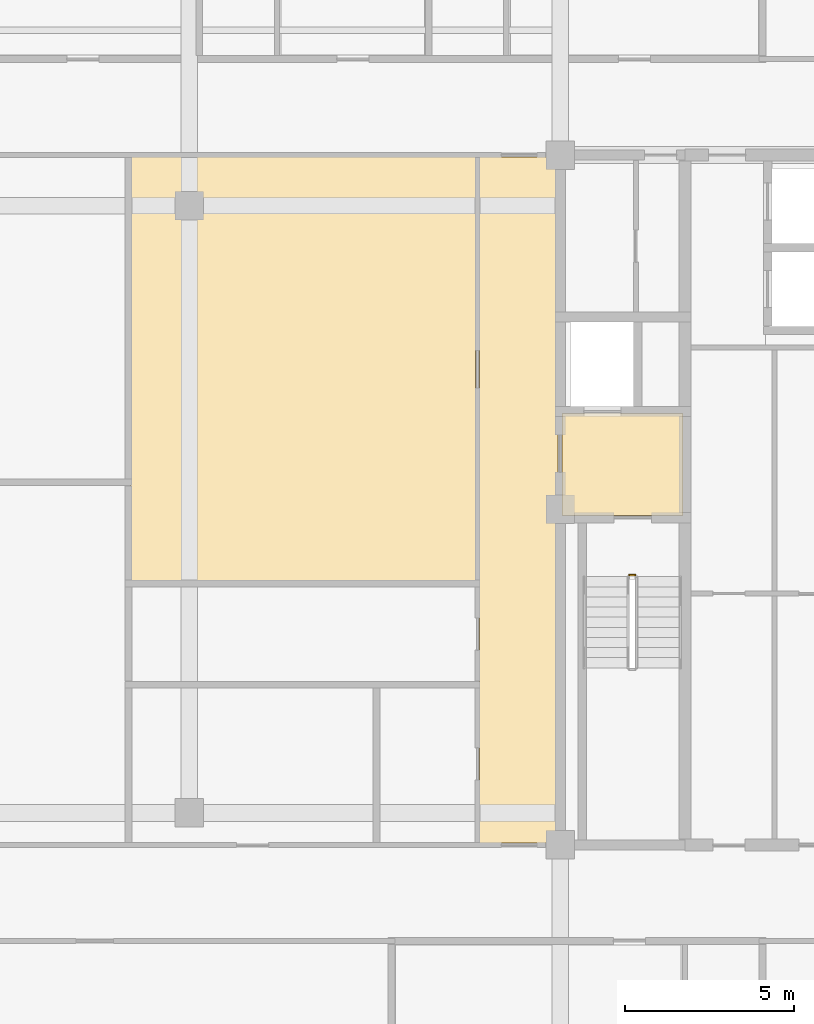
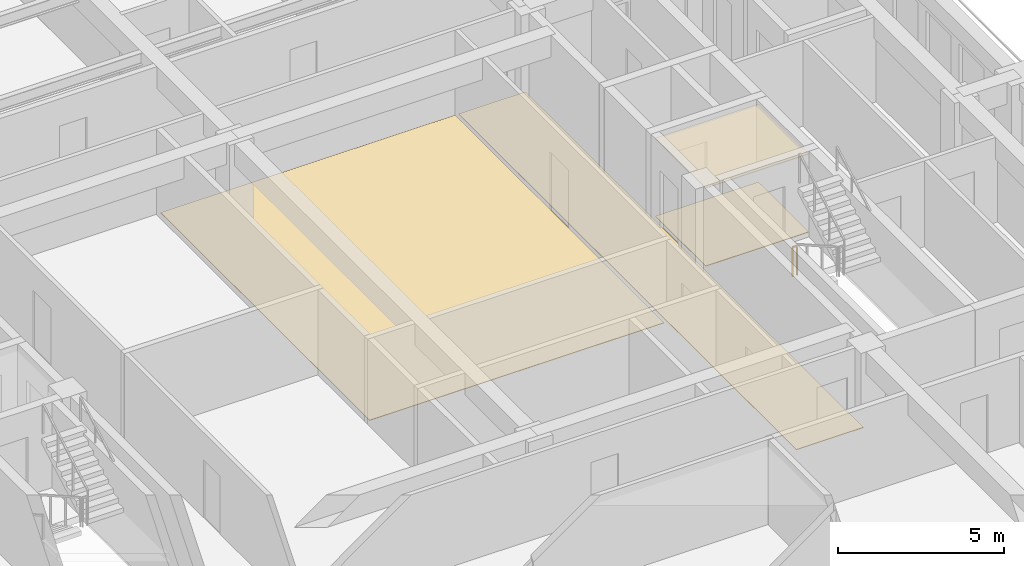
# One storey, part 13 of 14: 4 coverings, 1 railing.
"""IFC4 building model written with IfcOpenShell, lengths in metres."""

from ifc_helpers import new_model, si_unit, direction, frame, origin, origin_2d, place, context, subcontext, project, spatial, polyline, rectangle, outline, extrude, material, layer, layer_set, type_object, element, save


model = new_model("IFC4")

# Units and contexts
model_context = context("Model", 3, precision=1e-05, world=origin(), true_north=direction((0.0, 1.0)))
body_context = subcontext(model_context, "Body", "Model", "MODEL_VIEW")
ifc_project = project(units=[si_unit("LENGTHUNIT", "METRE"), si_unit("AREAUNIT", "SQUARE_METRE"), si_unit("VOLUMEUNIT", "CUBIC_METRE"), si_unit("PLANEANGLEUNIT", "RADIAN"), si_unit("MASSUNIT", "GRAM", prefix="KILO")], contexts=[model_context])

# Site, building, storey
site_placement = place(None, origin())
site = spatial("IfcSite", under=ifc_project, at=site_placement, CompositionType="ELEMENT")
building_placement = place(site_placement, origin())
building = spatial("IfcBuilding", under=site, at=building_placement, Name="Zulmaris Gate Convention Tower", CompositionType="ELEMENT")
storey_placement = place(building_placement, frame((0.0, 0.0, 215.260009765625)))
storey = spatial("IfcBuildingStorey", under=building, at=storey_placement, Name="L56", CompositionType="ELEMENT", Elevation=215.260009765625)

# Coverings
ifc_material_1 = material(Name="Mineral Fibre Acoustic Ceiling Tile")
ifc_layer_1 = layer(ifc_material_1, 0.02001953125, Name="Mineral Fibre Acoustic Ceiling Tile")
ifc_layer_set_1 = layer_set([ifc_layer_1], Name="Mineral Fibre Acoustic Ceiling Tile")
covering_type_1 = type_object("IfcCoveringType", Name="CLG-ACOUSTIC-600", PredefinedType="CEILING", material=ifc_layer_set_1)
covering_1_placement = place(storey_placement, frame((0.0, 0.0, 2.869873046875)))
element("IfcCovering", 1, at=covering_1_placement, inside=storey, type_object=covering_type_1, Name="CLG-L56-R08", PredefinedType="CEILING", context=body_context, shape_type="SweptSolid", body=[
    extrude(outline(polyline([(11.06005859375, -0.18994140625), (14.639892578125, -0.18994140625), (14.639892578125, 2.840087890625), (11.06005859375, 2.840087890625), (11.06005859375, -0.18994140625)])), origin(), (0.0, 0.0, 1.0), 0.02001953125),
])
ifc_material_2 = material(Name="Woven Acoustic Wool Carpet Tile")
ifc_layer_2 = layer(ifc_material_2, 0.02001953125, Name="Woven Acoustic Wool Carpet Tile")
ifc_layer_set_2 = layer_set([ifc_layer_2], Name="Woven Acoustic Wool Carpet Tile")
covering_type_2 = type_object("IfcCoveringType", Name="FLR-CARPET-12", PredefinedType="FLOORING", material=ifc_layer_set_2)
covering_2_placement = place(storey_placement, origin())
element("IfcCovering", 2, at=covering_2_placement, inside=storey, type_object=covering_type_2, Name="FLR-L56-R08", PredefinedType="FLOORING", context=body_context, shape_type="SweptSolid", body=[
    extrude(outline(polyline([(11.06005859375, -0.18994140625), (14.639892578125, -0.18994140625), (14.639892578125, 2.840087890625), (11.06005859375, 2.840087890625), (11.06005859375, -0.18994140625)])), origin(), (0.0, 0.0, 1.0), 0.02001953125),
])
covering_3_placement = place(storey_placement, origin())
element("IfcCovering", 3, at=covering_3_placement, inside=storey, type_object=covering_type_2, Name="FLR-L56-R34", PredefinedType="FLOORING", context=body_context, shape_type="SweptSolid", body=[
    extrude(outline(polyline([(8.610107421875, -9.889892578125), (10.93994140625, -9.889892578125), (10.93994140625, 10.43994140625), (8.610107421875, 10.43994140625), (8.610107421875, -9.889892578125)])), origin(), (0.0, 0.0, 1.0), 0.02001953125),
])
ifc_material_3 = material(Name="Engineered Teak Parquet Flooring")
ifc_layer_3 = layer(ifc_material_3, 0.02001953125, Name="Engineered Teak Parquet Flooring")
ifc_layer_set_3 = layer_set([ifc_layer_3], Name="Engineered Teak Parquet Flooring")
covering_type_3 = type_object("IfcCoveringType", Name="FLR-TIMBER-18", PredefinedType="FLOORING", material=ifc_layer_set_3)
covering_4_placement = place(storey_placement, origin())
element("IfcCovering", 4, at=covering_4_placement, inside=storey, type_object=covering_type_3, Name="FLR-L56-R53", PredefinedType="FLOORING", context=body_context, shape_type="SweptSolid", body=[
    extrude(outline(polyline([(-1.739990234375, -2.139892578125), (8.489990234375, -2.139892578125), (8.489990234375, 10.43994140625), (-1.739990234375, 10.43994140625), (-1.739990234375, -2.139892578125)])), origin(), (0.0, 0.0, 1.0), 0.02001953125),
])

# Railing
ifc_material_4 = material(Name="Painted Galvanised Steel", Category="steel")
railing_type = type_object("IfcRailingType", Name="RL-STG-1150", PredefinedType="GUARDRAIL", material=ifc_material_4)
railing_placement = place(storey_placement, frame((13.06005859375, -1.949951171875, 0.0)))
element("IfcRailing", 5, at=railing_placement, inside=storey, type_object=railing_type, Name="L56 ST-2 stair guard 4", PredefinedType="GUARDRAIL", context=body_context, shape_type="SweptSolid", body=[
    extrude(rectangle(XDim=0.048095703125, YDim=0.048095703125, at=origin_2d()), frame((0.0, 0.0, 1.076171875), z_axis=(1.0, 0.0, 0.0), x_axis=(0.0, 1.0, 0.0)), (0.0, 0.0, 1.0), 0.159912109375),
    extrude(rectangle(XDim=0.0419921875, YDim=0.0419921875, at=origin_2d()), origin(), (0.0, 0.0, 1.0), 1.052001953125),
    extrude(rectangle(XDim=0.0419921875, YDim=0.0419921875, at=origin_2d()), frame((0.159912109375, 0.0, 0.0)), (0.0, 0.0, 1.0), 1.052001953125),
])

save(model, "model.ifc")
